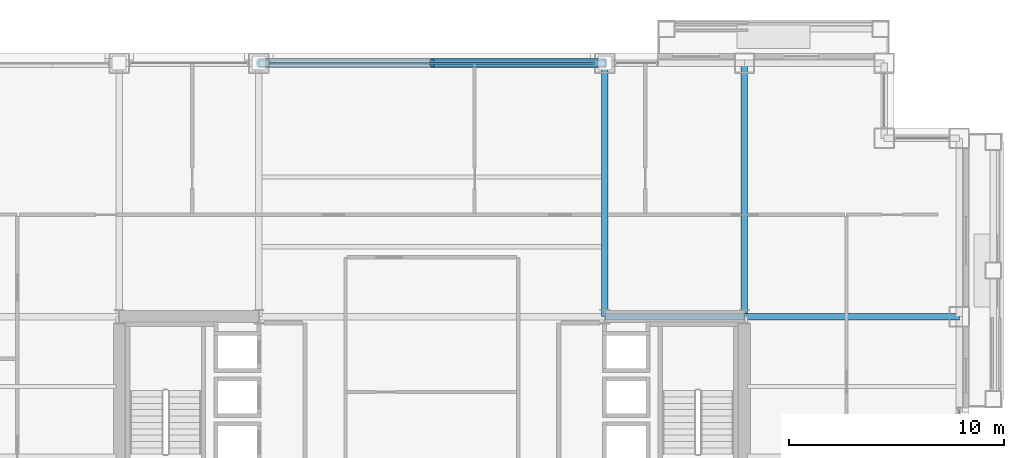
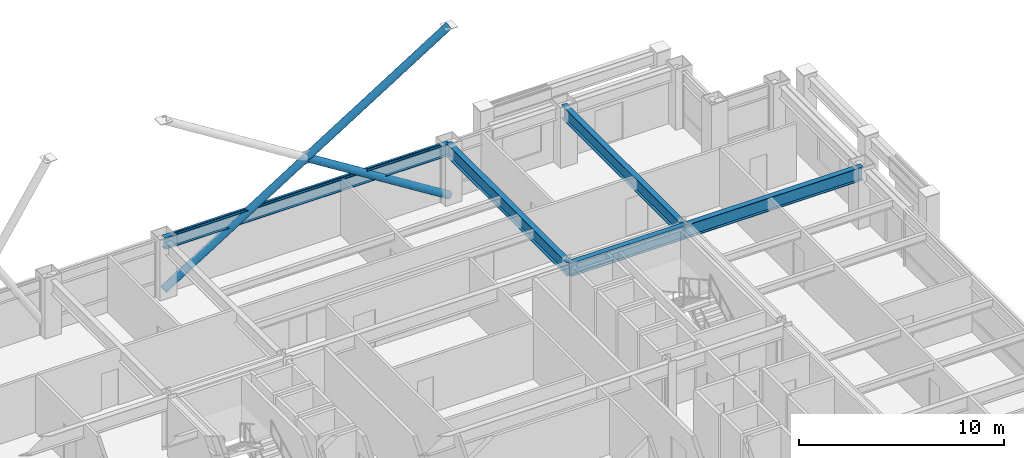
# One storey, part 22 of 34: 5 beams, 3 members, 1 element without a shape of its own.
"""IFC4 building model written with IfcOpenShell, lengths in metres."""

from ifc_helpers import new_model, si_unit, direction, frame, origin, origin_2d, place, context, subcontext, project, spatial, hollow_rectangle, hollow_circle, i_section, extrude, material, layer, layer_set, material_profile, profile_set, type_object, element, aggregate, save


model = new_model("IFC4")

# Units and contexts
model_context = context("Model", 3, precision=1e-05, world=origin(), true_north=direction((0.0, 1.0)))
body_context = subcontext(model_context, "Body", "Model", "MODEL_VIEW")
ifc_project = project(units=[si_unit("LENGTHUNIT", "METRE"), si_unit("AREAUNIT", "SQUARE_METRE"), si_unit("VOLUMEUNIT", "CUBIC_METRE"), si_unit("PLANEANGLEUNIT", "RADIAN"), si_unit("MASSUNIT", "GRAM", prefix="KILO")], contexts=[model_context])

# Site, building, storey
site_placement = place(None, origin())
site = spatial("IfcSite", under=ifc_project, at=site_placement, CompositionType="ELEMENT")
building_placement = place(site_placement, origin())
building = spatial("IfcBuilding", under=site, at=building_placement, Name="Brelmoor Portico Tower", CompositionType="ELEMENT")
storey_placement = place(building_placement, frame((0.0, 0.0, 45.60009765625)))
storey = spatial("IfcBuildingStorey", under=building, at=storey_placement, Name="L11", CompositionType="ELEMENT", Elevation=45.60009765625)

# Beams
ifc_material_1 = material(Name="Steel Q355B", Category="steel")
ifc_material_profile_1 = material_profile(ifc_material_1, i_section(OverallWidth=0.300048828125, OverallDepth=0.800048828125, WebThickness=0.013916015625, FlangeThickness=0.02587890625, at=origin_2d()), Name="HN 800x300x14x26")
ifc_profile_set_1 = profile_set([ifc_material_profile_1], Name="Steel Q355B")
beam_type_1 = type_object("IfcBeamType", Name="BM-PG-800", PredefinedType="BEAM", material=ifc_profile_set_1)
for number, where, z_axis, x_axis, name in (
    (1, (8.050048828125, 9.75, 3.0), (0.0, 1.0, 0.0), (-1.0, 0.0, 0.0), "L11 Primary Floor Girder PG-10"),
    (2, (14.550048828125, 9.75, 3.0), (0.0, 1.0, 0.0), (-1.0, 0.0, 0.0), "L11 Primary Floor Girder PG-14"),
):
    element("IfcBeam", number, at=place(storey_placement, frame(where, z_axis=z_axis, x_axis=x_axis)), inside=storey, type_object=beam_type_1, Name=name, PredefinedType="BEAM", context=body_context, shape_type="SweptSolid", body=[
        extrude(i_section(OverallWidth=0.300048828125, OverallDepth=0.800048828125, WebThickness=0.013916015625, FlangeThickness=0.02587890625, at=origin_2d()), origin(), (0.0, 0.0, 1.0), 11.800048828125),
    ])
beam_1_placement = place(storey_placement, frame((8.050048828125, 9.75, 3.0), z_axis=(1.0, 0.0, 0.0), x_axis=(0.0, 1.0, 0.0)))
element("IfcBeam", 3, at=beam_1_placement, inside=storey, type_object=beam_type_1, Name="L11 Primary Floor Girder PG-30", PredefinedType="BEAM", context=body_context, shape_type="SweptSolid", body=[
    extrude(i_section(OverallWidth=0.300048828125, OverallDepth=0.800048828125, WebThickness=0.013916015625, FlangeThickness=0.02587890625, at=origin_2d()), origin(), (0.0, 0.0, 1.0), 6.5),
])
beam_2_placement = place(storey_placement, frame((14.550048828125, 9.75, 3.0), z_axis=(1.0, 0.0, 0.0), x_axis=(0.0, 1.0, 0.0)))
element("IfcBeam", 4, at=beam_2_placement, inside=storey, type_object=beam_type_1, Name="L11 Primary Floor Girder PG-31", PredefinedType="BEAM", context=body_context, shape_type="SweptSolid", body=[
    extrude(i_section(OverallWidth=0.300048828125, OverallDepth=0.800048828125, WebThickness=0.013916015625, FlangeThickness=0.02587890625, at=origin_2d()), origin(), (0.0, 0.0, 1.0), 10.0),
])
ifc_material_profile_2 = material_profile(ifc_material_1, i_section(OverallWidth=0.300048828125, OverallDepth=0.699951171875, WebThickness=0.012939453125, FlangeThickness=0.02392578125, at=origin_2d()), Name="HN 700x300x13x24")
ifc_profile_set_2 = profile_set([ifc_material_profile_2], Name="Steel Q355B")
beam_type_2 = type_object("IfcBeamType", Name="BM-SP-700", PredefinedType="SPANDREL", material=ifc_profile_set_2)
beam_3_placement = place(storey_placement, frame((-8.050048828125, 21.550048828125, 3.0498046875), z_axis=(1.0, 0.0, 0.0), x_axis=(0.0, 1.0, 0.0)))
element("IfcBeam", 5, at=beam_3_placement, inside=storey, type_object=beam_type_2, Name="L11 Perimeter Spandrel Beam SP-12", PredefinedType="SPANDREL", context=body_context, shape_type="SweptSolid", body=[
    extrude(i_section(OverallWidth=0.300048828125, OverallDepth=0.699951171875, WebThickness=0.012939453125, FlangeThickness=0.02392578125, at=origin_2d()), origin(), (0.0, 0.0, 1.0), 16.10009765625),
])

# Members
ifc_material_profile_3 = material_profile(ifc_material_1, hollow_circle(Radius=0.212890625, WallThickness=0.02001953125, at=origin_2d()), Name="CHS 426x20")
ifc_profile_set_3 = profile_set([ifc_material_profile_3], Name="Steel Q355B")
member_type_1 = type_object("IfcMemberType", Name="MB-BELT-DIAG1", PredefinedType="BRACE", material=ifc_profile_set_3)
member_1_placement = place(storey_placement, frame((-8.050048828125, 21.550048828125, 0.25), z_axis=(0.847115258736, 0.0, 0.531409200538), x_axis=(0.0, 1.0, 0.0)))
element("IfcMember", 6, at=member_1_placement, inside=storey, type_object=member_type_1, Name="L11 Continuous Mega-X Brace 020A", PredefinedType="BRACE", context=body_context, shape_type="SweptSolid", body=[
    extrude(hollow_circle(Radius=0.212890625, WallThickness=0.02001953125, at=origin_2d()), origin(), (0.0, 0.0, 1.0), 19.005859375),
])
member_2_placement = place(storey_placement, frame((8.050048828125, 21.550048828125, 0.25), z_axis=(-0.847121041358, 0.0, 0.531399982393), x_axis=(0.0, -1.0, 0.0)))
element("IfcMember", 7, at=member_2_placement, inside=storey, type_object=member_type_1, Name="L11 Split Mega-X Brace 020B1", PredefinedType="BRACE", context=body_context, shape_type="SweptSolid", body=[
    extrude(hollow_circle(Radius=0.212890625, WallThickness=0.02001953125, at=origin_2d()), origin(), (0.0, 0.0, 1.0), 9.5029296875),
])

# Curtain wall, member
ifc_material_2 = material(Name="Anodised Aluminium Alloy 6063-T6", Category="aluminium")
ifc_layer = layer(ifc_material_2, 0.179931640625)
ifc_layer_set = layer_set([ifc_layer], Name="Anodised Aluminium Alloy 6063-T6")
curtain_wall_type = type_object("IfcCurtainWallType", Name="CW-TOWER-Z1-XB", PredefinedType="NOTDEFINED", material=ifc_layer_set)
curtain_wall_placement = place(storey_placement, origin())
curtain_wall = element("IfcCurtainWall", 8, at=curtain_wall_placement, inside=storey, type_object=curtain_wall_type, Name="L11 Curtain Wall CW-L11-2L-3", PredefinedType="NOTDEFINED")
ifc_material_profile_4 = material_profile(ifc_material_2, hollow_rectangle(XDim=0.06494140625, YDim=0.139892578125, WallThickness=0.00390625, at=origin_2d()), Name="ALU TRANSOM 65x140")
ifc_profile_set_4 = profile_set([ifc_material_profile_4], Name="Anodised Aluminium Alloy 6063-T6")
member_type_2 = type_object("IfcMemberType", Name="MB-CW-TRAN-140", PredefinedType="USERDEFINED", material=ifc_profile_set_4)
member_3_placement = place(storey_placement, frame((-7.56494140625, 21.550048828125, 3.329833984375), z_axis=(1.0, 0.0, 0.0), x_axis=(0.0, 1.0, 0.0)))
member_3 = element("IfcMember", 9, at=member_3_placement, type_object=member_type_2, Name="CW-L11-2L-3 Transom 1-00", ObjectType="TRANSOM", PredefinedType="USERDEFINED", context=body_context, shape_type="SweptSolid", body=[
    extrude(hollow_rectangle(XDim=0.06494140625, YDim=0.139892578125, WallThickness=0.00390625, at=origin_2d()), origin(), (0.0, 0.0, 1.0), 15.1298828125),
])
aggregate(curtain_wall, [member_3])

save(model, "model.ifc")
